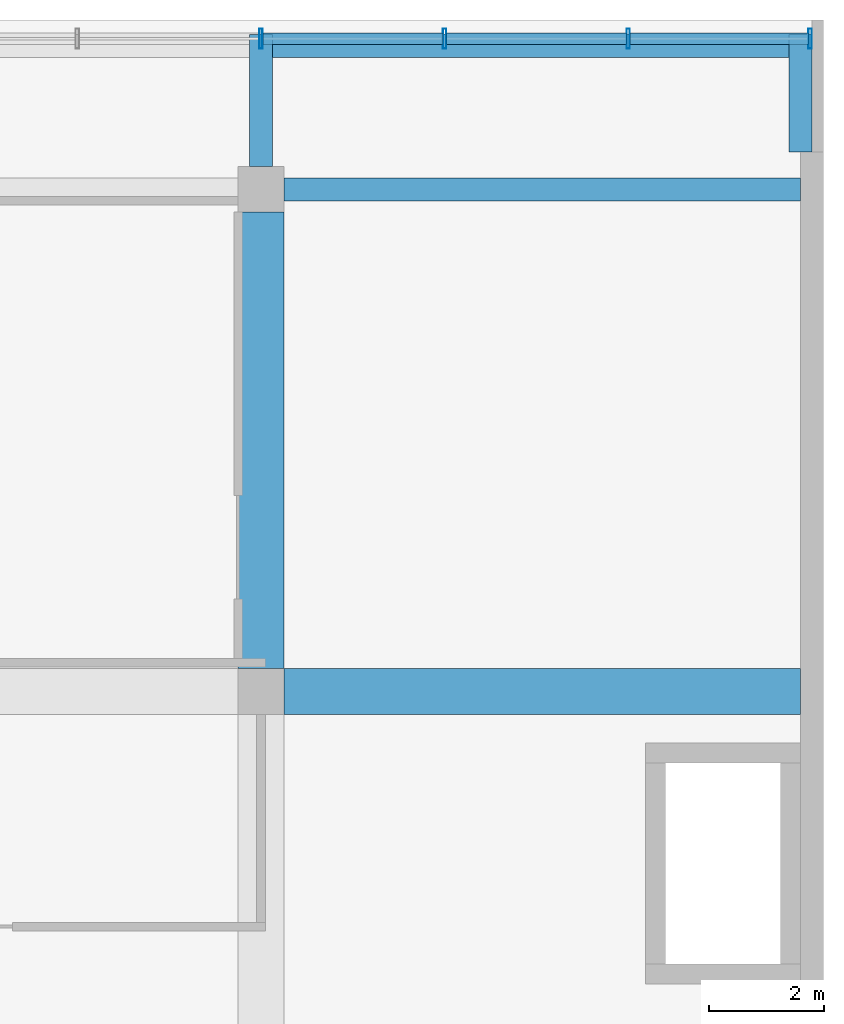
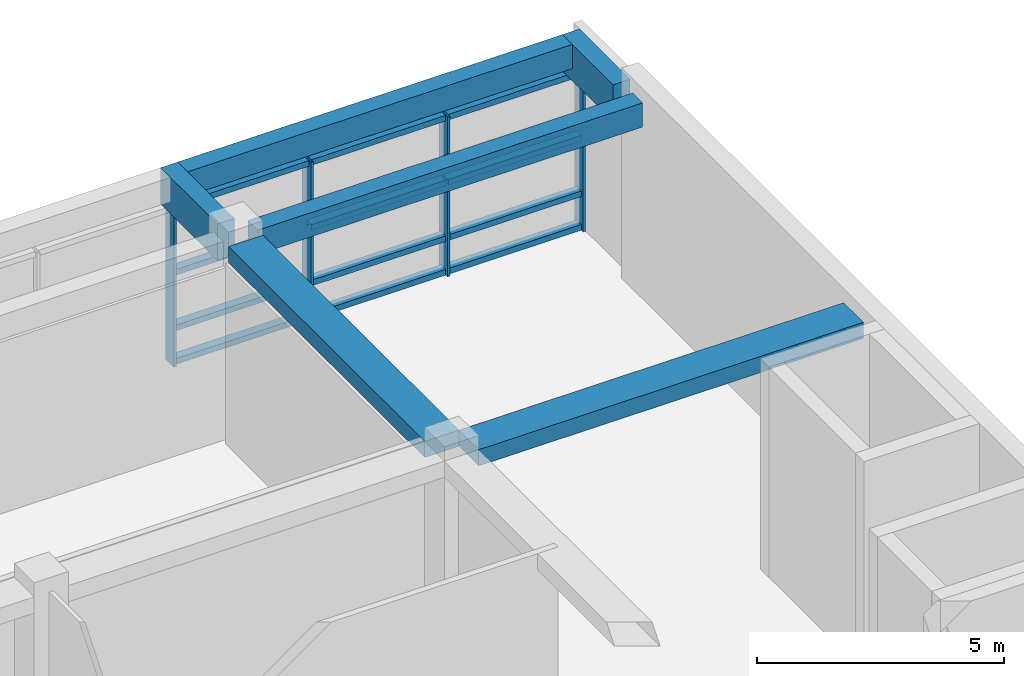
# One storey, part 5 of 31: 16 members, 6 beams, 1 element without a shape of its own.
"""IFC4 building model written with IfcOpenShell, lengths in metres."""

from ifc_helpers import new_model, si_unit, direction, frame, origin, origin_2d, place, context, subcontext, project, spatial, rectangle, hollow_rectangle, extrude, material, layer, layer_set, material_profile, profile_set, type_object, element, aggregate, save


model = new_model("IFC4")

# Units and contexts
model_context = context("Model", 3, precision=1e-05, world=origin(), true_north=direction((0.0, 1.0)))
body_context = subcontext(model_context, "Body", "Model", "MODEL_VIEW")
ifc_project = project(units=[si_unit("LENGTHUNIT", "METRE"), si_unit("AREAUNIT", "SQUARE_METRE"), si_unit("VOLUMEUNIT", "CUBIC_METRE"), si_unit("PLANEANGLEUNIT", "RADIAN"), si_unit("MASSUNIT", "GRAM", prefix="KILO")], contexts=[model_context])

# Site, building, storey
site_placement = place(None, origin())
site = spatial("IfcSite", under=ifc_project, at=site_placement, CompositionType="ELEMENT")
building_placement = place(site_placement, origin())
building = spatial("IfcBuilding", under=site, at=building_placement, Name="Nzadi Deep Aquarium and Research Tower", CompositionType="ELEMENT")
storey_placement = place(building_placement, frame((0.0, 0.0, 26.699951171875)))
storey = spatial("IfcBuildingStorey", under=building, at=storey_placement, Name="L04", CompositionType="ELEMENT", Elevation=26.699951171875)

# Curtain wall, members
ifc_material_1 = material(Name="Aluminium unitised frame tall span", Category="aluminium")
ifc_layer = layer(ifc_material_1, 0.35009765625)
ifc_layer_set = layer_set([ifc_layer], Name="Aluminium unitised frame tall span")
curtain_wall_type = type_object("IfcCurtainWallType", Name="Curtain wall Podium 350", PredefinedType="NOTDEFINED", material=ifc_layer_set)
curtain_wall_placement = place(storey_placement, origin())
curtain_wall = element("IfcCurtainWall", 1, at=curtain_wall_placement, inside=storey, type_object=curtain_wall_type, Name="North cascade curtain wall L04", PredefinedType="NOTDEFINED")
ifc_material_2 = material(Name="Aluminium unitised frame tall span", Category="aluminium")
ifc_material_profile_1 = material_profile(ifc_material_2, hollow_rectangle(XDim=0.35009765625, YDim=0.06005859375, WallThickness=0.0048828125, at=origin_2d()))
ifc_profile_set_1 = profile_set([ifc_material_profile_1], Name="Aluminium unitised frame tall span")
member_type_1 = type_object("IfcMemberType", Name="Mullion 60x350 Podium", PredefinedType="MULLION", material=ifc_profile_set_1)
member_1_placement = place(storey_placement, frame((48.0, 142.97509765625, 0.0), z_axis=(0.0, 0.0, 1.0), x_axis=(0.0, 1.0, 0.0)))
member_1 = element("IfcMember", 2, at=member_1_placement, type_object=member_type_1, Name="CW256 mullion 16", PredefinedType="MULLION", context=body_context, shape_type="SweptSolid", body=[
    extrude(hollow_rectangle(XDim=0.35009765625, YDim=0.06005859375, WallThickness=0.0048828125, at=origin_2d()), origin(), (0.0, 0.0, 1.0), 3.949951171875),
])
member_2_placement = place(storey_placement, frame((51.199951171875, 142.97509765625, 0.0), z_axis=(0.0, 0.0, 1.0), x_axis=(0.0, 1.0, 0.0)))
member_2 = element("IfcMember", 3, at=member_2_placement, type_object=member_type_1, Name="CW256 mullion 17", PredefinedType="MULLION", context=body_context, shape_type="SweptSolid", body=[
    extrude(hollow_rectangle(XDim=0.35009765625, YDim=0.06005859375, WallThickness=0.0048828125, at=origin_2d()), origin(), (0.0, 0.0, 1.0), 3.949951171875),
])
member_3_placement = place(storey_placement, frame((54.39990234375, 142.97509765625, 0.0), z_axis=(0.0, 0.0, 1.0), x_axis=(0.0, 1.0, 0.0)))
member_3 = element("IfcMember", 4, at=member_3_placement, type_object=member_type_1, Name="CW256 mullion 18", PredefinedType="MULLION", context=body_context, shape_type="SweptSolid", body=[
    extrude(hollow_rectangle(XDim=0.35009765625, YDim=0.06005859375, WallThickness=0.0048828125, at=origin_2d()), origin(), (0.0, 0.0, 1.0), 3.949951171875),
])
member_4_placement = place(storey_placement, frame((57.570068359375, 142.97509765625, 0.0), z_axis=(0.0, 0.0, 1.0), x_axis=(0.0, 1.0, 0.0)))
member_4 = element("IfcMember", 5, at=member_4_placement, type_object=member_type_1, Name="CW256 mullion 19", PredefinedType="MULLION", context=body_context, shape_type="SweptSolid", body=[
    extrude(hollow_rectangle(XDim=0.35009765625, YDim=0.06005859375, WallThickness=0.0048828125, at=origin_2d()), origin(), (0.0, 0.0, 1.0), 3.949951171875),
])

# Beams
ifc_material_3 = material(Name="Concrete C35/45", Category="concrete")
ifc_material_profile_2 = material_profile(ifc_material_3, rectangle(XDim=0.39990234375, YDim=0.60009765625, at=origin_2d()))
ifc_profile_set_2 = profile_set([ifc_material_profile_2], Name="Concrete C35/45")
beam_type_1 = type_object("IfcBeamType", Name="RC 400x600", PredefinedType="BEAM", material=ifc_profile_set_2)
for number, where, z_axis, x_axis, name in (
    (6, (48.39990234375, 140.35009765625, 4.550048828125), (1.0, 0.0, 0.0), (0.0, 1.0, 0.0), "B-Z3-L04-L18-6"),
    (7, (48.199951171875, 142.85009765625, 4.550048828125), (1.0, 0.0, 0.0), (0.0, 1.0, 0.0), "B-Z3-L05-TB6"),
):
    element("IfcBeam", number, at=place(storey_placement, frame(where, z_axis=z_axis, x_axis=x_axis)), inside=storey, type_object=beam_type_1, Name=name, PredefinedType="BEAM", context=body_context, shape_type="SweptSolid", body=[
        extrude(rectangle(XDim=0.39990234375, YDim=0.60009765625, at=origin_2d()), origin(), (0.0, 0.0, 1.0), 9.0),
    ])
ifc_material_4 = material(Name="Concrete C35/45", Category="concrete")
ifc_material_profile_3 = material_profile(ifc_material_4, rectangle(XDim=0.39990234375, YDim=0.89990234375, at=origin_2d()))
ifc_profile_set_3 = profile_set([ifc_material_profile_3], Name="Concrete C35/45")
beam_type_2 = type_object("IfcBeamType", Name="RC 400x900", PredefinedType="BEAM", material=ifc_profile_set_3)
beam_1_placement = place(storey_placement, frame((48.0, 140.75, 4.400146484375), z_axis=(0.0, 1.0, 0.0), x_axis=(-1.0, 0.0, 0.0)))
element("IfcBeam", 8, at=beam_1_placement, inside=storey, type_object=beam_type_2, Name="B-Z3-L05-CB6", PredefinedType="BEAM", context=body_context, shape_type="SweptSolid", body=[
    extrude(rectangle(XDim=0.39990234375, YDim=0.89990234375, at=origin_2d()), origin(), (0.0, 0.0, 1.0), 2.300048828125),
])
beam_2_placement = place(storey_placement, frame((57.39990234375, 141.0, 4.400146484375), z_axis=(0.0, 1.0, 0.0), x_axis=(-1.0, 0.0, 0.0)))
element("IfcBeam", 9, at=beam_2_placement, inside=storey, type_object=beam_type_2, Name="B-Z3-L05-CB7", PredefinedType="BEAM", context=body_context, shape_type="SweptSolid", body=[
    extrude(rectangle(XDim=0.39990234375, YDim=0.89990234375, at=origin_2d()), origin(), (0.0, 0.0, 1.0), 2.050048828125),
])
ifc_material_5 = material(Name="Concrete C35/45", Category="concrete")
ifc_material_profile_4 = material_profile(ifc_material_5, rectangle(XDim=0.800048828125, YDim=0.39990234375, at=origin_2d()))
ifc_profile_set_4 = profile_set([ifc_material_profile_4], Name="Concrete C35/45")
beam_type_3 = type_object("IfcBeamType", Name="RC 800x400", PredefinedType="BEAM", material=ifc_profile_set_4)
beam_3_placement = place(storey_placement, frame((48.39990234375, 131.60009765625, 4.650146484375), z_axis=(1.0, 0.0, 0.0), x_axis=(0.0, 1.0, 0.0)))
element("IfcBeam", 10, at=beam_3_placement, inside=storey, type_object=beam_type_3, Name="B-Z3-L04-L17-6", PredefinedType="BEAM", context=body_context, shape_type="SweptSolid", body=[
    extrude(rectangle(XDim=0.800048828125, YDim=0.39990234375, at=origin_2d()), origin(), (0.0, 0.0, 1.0), 9.0),
])
beam_4_placement = place(storey_placement, frame((48.0, 132.0, 4.650146484375), z_axis=(0.0, 1.0, 0.0), x_axis=(-1.0, 0.0, 0.0)))
element("IfcBeam", 11, at=beam_4_placement, inside=storey, type_object=beam_type_3, Name="B-Z3-L04-CF-5-13", PredefinedType="BEAM", context=body_context, shape_type="SweptSolid", body=[
    extrude(rectangle(XDim=0.800048828125, YDim=0.39990234375, at=origin_2d()), origin(), (0.0, 0.0, 1.0), 7.949951171875),
])

# Member
ifc_material_6 = material(Name="Aluminium unitised frame tall span", Category="aluminium")
ifc_material_profile_5 = material_profile(ifc_material_6, hollow_rectangle(XDim=0.199951171875, YDim=0.139892578125, WallThickness=0.0048828125, at=origin_2d()))
ifc_profile_set_5 = profile_set([ifc_material_profile_5], Name="Aluminium unitised frame tall span")
member_type_2 = type_object("IfcMemberType", Name="Transom 140x200 Podium", PredefinedType="MULLION", material=ifc_profile_set_5)
member_5_placement = place(storey_placement, frame((48.030029296875, 142.97509765625, 0.070068359375), z_axis=(1.0, 0.0, 0.0), x_axis=(0.0, 1.0, 0.0)))
member_5 = element("IfcMember", 12, at=member_5_placement, type_object=member_type_2, Name="CW256 transom 16.1", PredefinedType="MULLION", context=body_context, shape_type="SweptSolid", body=[
    extrude(hollow_rectangle(XDim=0.199951171875, YDim=0.139892578125, WallThickness=0.0048828125, at=origin_2d()), origin(), (0.0, 0.0, 1.0), 3.139892578125),
])

member_6_placement = place(storey_placement, frame((48.030029296875, 142.97509765625, 0.900146484375), z_axis=(1.0, 0.0, 0.0), x_axis=(0.0, 1.0, 0.0)))
member_6 = element("IfcMember", 13, at=member_6_placement, type_object=member_type_2, Name="CW256 transom 16.2", PredefinedType="MULLION", context=body_context, shape_type="SweptSolid", body=[
    extrude(hollow_rectangle(XDim=0.199951171875, YDim=0.139892578125, WallThickness=0.0048828125, at=origin_2d()), origin(), (0.0, 0.0, 1.0), 3.139892578125),
])

member_7_placement = place(storey_placement, frame((48.030029296875, 142.97509765625, 2.275146484375), z_axis=(1.0, 0.0, 0.0), x_axis=(0.0, 1.0, 0.0)))
member_7 = element("IfcMember", 14, at=member_7_placement, type_object=member_type_2, Name="CW256 transom 16.3", PredefinedType="MULLION", context=body_context, shape_type="SweptSolid", body=[
    extrude(hollow_rectangle(XDim=0.199951171875, YDim=0.139892578125, WallThickness=0.0048828125, at=origin_2d()), origin(), (0.0, 0.0, 1.0), 3.139892578125),
])

member_8_placement = place(storey_placement, frame((48.030029296875, 142.97509765625, 3.880126953125), z_axis=(1.0, 0.0, 0.0), x_axis=(0.0, 1.0, 0.0)))
member_8 = element("IfcMember", 15, at=member_8_placement, type_object=member_type_2, Name="CW256 transom 16.4", PredefinedType="MULLION", context=body_context, shape_type="SweptSolid", body=[
    extrude(hollow_rectangle(XDim=0.199951171875, YDim=0.139892578125, WallThickness=0.0048828125, at=origin_2d()), origin(), (0.0, 0.0, 1.0), 3.139892578125),
])

member_9_placement = place(storey_placement, frame((51.22998046875, 142.97509765625, 0.070068359375), z_axis=(1.0, 0.0, 0.0), x_axis=(0.0, 1.0, 0.0)))
member_9 = element("IfcMember", 16, at=member_9_placement, type_object=member_type_2, Name="CW256 transom 17.1", PredefinedType="MULLION", context=body_context, shape_type="SweptSolid", body=[
    extrude(hollow_rectangle(XDim=0.199951171875, YDim=0.139892578125, WallThickness=0.0048828125, at=origin_2d()), origin(), (0.0, 0.0, 1.0), 3.14013671875),
])

member_10_placement = place(storey_placement, frame((51.22998046875, 142.97509765625, 0.900146484375), z_axis=(1.0, 0.0, 0.0), x_axis=(0.0, 1.0, 0.0)))
member_10 = element("IfcMember", 17, at=member_10_placement, type_object=member_type_2, Name="CW256 transom 17.2", PredefinedType="MULLION", context=body_context, shape_type="SweptSolid", body=[
    extrude(hollow_rectangle(XDim=0.199951171875, YDim=0.139892578125, WallThickness=0.0048828125, at=origin_2d()), origin(), (0.0, 0.0, 1.0), 3.14013671875),
])

member_11_placement = place(storey_placement, frame((51.22998046875, 142.97509765625, 2.275146484375), z_axis=(1.0, 0.0, 0.0), x_axis=(0.0, 1.0, 0.0)))
member_11 = element("IfcMember", 18, at=member_11_placement, type_object=member_type_2, Name="CW256 transom 17.3", PredefinedType="MULLION", context=body_context, shape_type="SweptSolid", body=[
    extrude(hollow_rectangle(XDim=0.199951171875, YDim=0.139892578125, WallThickness=0.0048828125, at=origin_2d()), origin(), (0.0, 0.0, 1.0), 3.14013671875),
])

member_12_placement = place(storey_placement, frame((51.22998046875, 142.97509765625, 3.880126953125), z_axis=(1.0, 0.0, 0.0), x_axis=(0.0, 1.0, 0.0)))
member_12 = element("IfcMember", 19, at=member_12_placement, type_object=member_type_2, Name="CW256 transom 17.4", PredefinedType="MULLION", context=body_context, shape_type="SweptSolid", body=[
    extrude(hollow_rectangle(XDim=0.199951171875, YDim=0.139892578125, WallThickness=0.0048828125, at=origin_2d()), origin(), (0.0, 0.0, 1.0), 3.14013671875),
])

member_13_placement = place(storey_placement, frame((54.429931640625, 142.97509765625, 0.070068359375), z_axis=(1.0, 0.0, 0.0), x_axis=(0.0, 1.0, 0.0)))
member_13 = element("IfcMember", 20, at=member_13_placement, type_object=member_type_2, Name="CW256 transom 18.1", PredefinedType="MULLION", context=body_context, shape_type="SweptSolid", body=[
    extrude(hollow_rectangle(XDim=0.199951171875, YDim=0.139892578125, WallThickness=0.0048828125, at=origin_2d()), origin(), (0.0, 0.0, 1.0), 3.110107421875),
])

member_14_placement = place(storey_placement, frame((54.429931640625, 142.97509765625, 0.900146484375), z_axis=(1.0, 0.0, 0.0), x_axis=(0.0, 1.0, 0.0)))
member_14 = element("IfcMember", 21, at=member_14_placement, type_object=member_type_2, Name="CW256 transom 18.2", PredefinedType="MULLION", context=body_context, shape_type="SweptSolid", body=[
    extrude(hollow_rectangle(XDim=0.199951171875, YDim=0.139892578125, WallThickness=0.0048828125, at=origin_2d()), origin(), (0.0, 0.0, 1.0), 3.110107421875),
])

member_15_placement = place(storey_placement, frame((54.429931640625, 142.97509765625, 2.275146484375), z_axis=(1.0, 0.0, 0.0), x_axis=(0.0, 1.0, 0.0)))
member_15 = element("IfcMember", 22, at=member_15_placement, type_object=member_type_2, Name="CW256 transom 18.3", PredefinedType="MULLION", context=body_context, shape_type="SweptSolid", body=[
    extrude(hollow_rectangle(XDim=0.199951171875, YDim=0.139892578125, WallThickness=0.0048828125, at=origin_2d()), origin(), (0.0, 0.0, 1.0), 3.110107421875),
])

member_16_placement = place(storey_placement, frame((54.429931640625, 142.97509765625, 3.880126953125), z_axis=(1.0, 0.0, 0.0), x_axis=(0.0, 1.0, 0.0)))
member_16 = element("IfcMember", 23, at=member_16_placement, type_object=member_type_2, Name="CW256 transom 18.4", PredefinedType="MULLION", context=body_context, shape_type="SweptSolid", body=[
    extrude(hollow_rectangle(XDim=0.199951171875, YDim=0.139892578125, WallThickness=0.0048828125, at=origin_2d()), origin(), (0.0, 0.0, 1.0), 3.110107421875),
])

aggregate(curtain_wall, [member_1, member_2, member_3, member_4, member_5, member_6, member_7, member_8, member_9, member_10, member_11, member_12, member_13, member_14, member_15, member_16])

save(model, "model.ifc")
